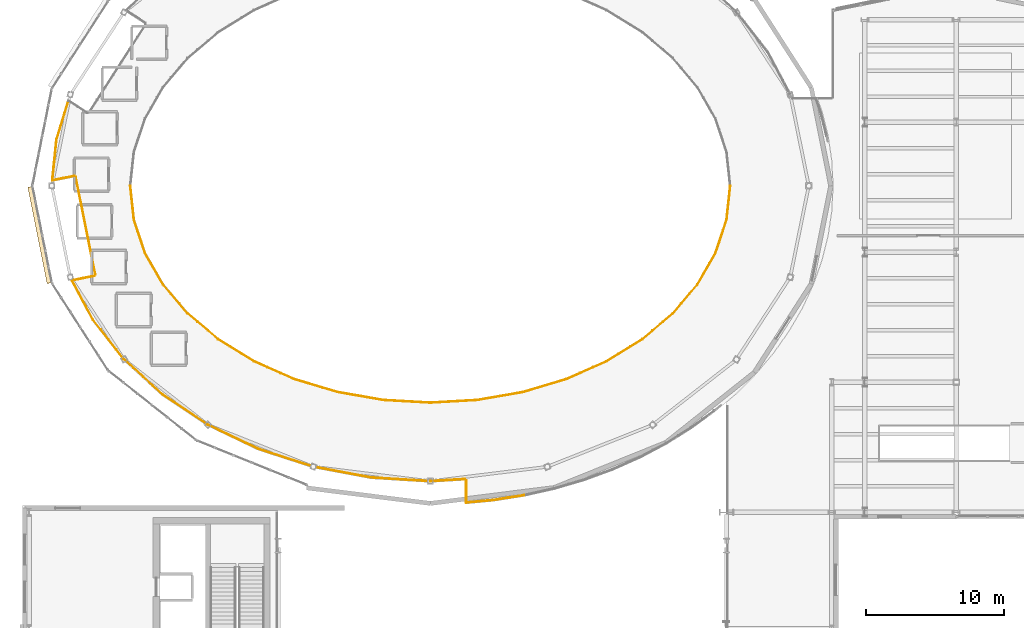
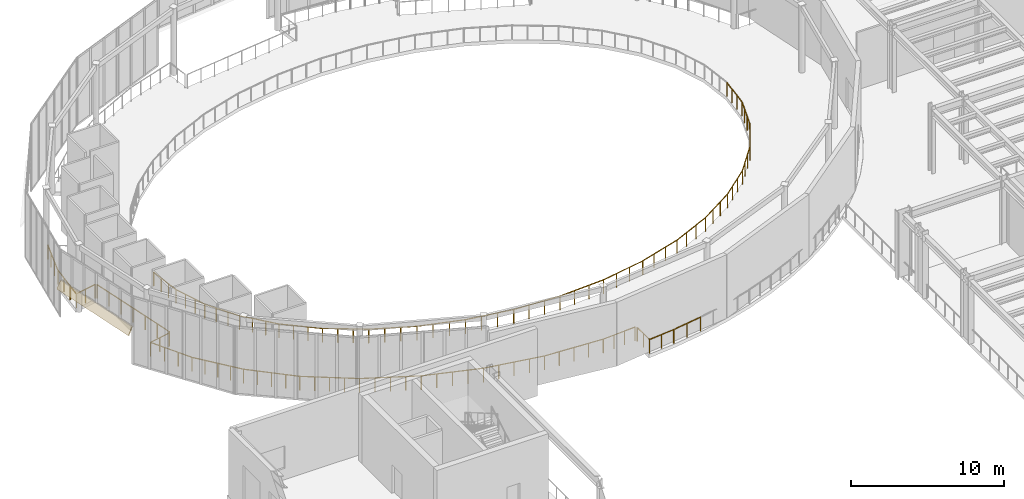
# One storey, part 91 of 98: 18 railings, 1 covering.
"""IFC4 building model written with IfcOpenShell, lengths in metres."""

from ifc_helpers import new_model, si_unit, direction, frame, origin, origin_2d, place, context, subcontext, project, spatial, polyline, circle, outline, extrude, material, layer, layer_set, type_object, element, save


model = new_model("IFC4")

# Units and contexts
model_context = context("Model", 3, precision=1e-05, world=origin(), true_north=direction((0.0, 1.0)))
body_context = subcontext(model_context, "Body", "Model", "MODEL_VIEW")
ifc_project = project(units=[si_unit("LENGTHUNIT", "METRE"), si_unit("AREAUNIT", "SQUARE_METRE"), si_unit("VOLUMEUNIT", "CUBIC_METRE"), si_unit("PLANEANGLEUNIT", "RADIAN"), si_unit("MASSUNIT", "GRAM", prefix="KILO")], contexts=[model_context])

# Site, building, storey
site_placement = place(None, origin())
site = spatial("IfcSite", under=ifc_project, at=site_placement, CompositionType="ELEMENT")
building_placement = place(site_placement, origin())
building = spatial("IfcBuilding", under=site, at=building_placement, Name="Sollismere Congress Hotel", CompositionType="ELEMENT")
storey_placement = place(building_placement, frame((0.0, 0.0, 5.39990234375)))
storey = spatial("IfcBuildingStorey", under=building, at=storey_placement, Name="L01", CompositionType="ELEMENT", Elevation=5.39990234375)

# Covering
ifc_material_1 = material(Name="Standing-Seam Titanium-Zinc Roof Assembly")
ifc_layer = layer(ifc_material_1, 0.054931640625, Name="Standing-Seam Titanium-Zinc Roof Assembly")
ifc_layer_set = layer_set([ifc_layer], Name="Standing-Seam Titanium-Zinc Roof Assembly")
covering_type = type_object("IfcCoveringType", Name="CV-RFZNC", PredefinedType="ROOFING", material=ifc_layer_set)
covering_placement = place(storey_placement, frame((-0.01953125, 90.315673828125, 2.35986328125), z_axis=(-0.846954137898, -0.169527651371, 0.503913746307), x_axis=(0.19627169068, -0.980549551734, 5.671637e-06)))
element("IfcCovering", 1, at=covering_placement, inside=storey, type_object=covering_type, Name="Congress portal hood 10", PredefinedType="ROOFING", context=body_context, shape_type="SweptSolid", body=[
    extrude(outline(polyline([(0.0, 0.0), (7.109619140625, 0.0), (7.089599609375, 0.6943359375), (0.02001953125, 0.694580078125), (0.0, 0.0)])), origin(), (0.0, 0.0, 1.0), 0.080078125),
])

# Railings
ifc_material_2 = material(Name="Bronze and Laminated Safety Glass", Category="glass")
railing_type = type_object("IfcRailingType", Name="RL-BAL112I", PredefinedType="BALUSTRADE", material=ifc_material_2)
railing_1_placement = place(storey_placement, frame((7.320068359375, 90.39990234375, 0.0)))
element("IfcRailing", 2, at=railing_1_placement, inside=storey, type_object=railing_type, Name="RLG-GDA-L01-009", PredefinedType="BALUSTRADE", context=body_context, shape_type="SweptSolid", body=[
    extrude(circle(Radius=0.02392578125, at=origin_2d()), frame((0.0, 0.0, 1.09619140625), z_axis=(0.108150595503, -0.994134522433, 0.0), x_axis=(0.994134522433, 0.108150595503, 0.0)), (0.0, 0.0, 1.0), 2.46728515625),
    extrude(circle(Radius=0.02392578125, at=origin_2d()), frame((0.266845703125, -2.452880859375, 1.09619140625), z_axis=(0.315065283575, -0.949070001152, 0.0), x_axis=(0.949070001152, 0.315065283575, 0.0)), (0.0, 0.0, 1.0), 2.520751953125),
    extrude(circle(Radius=0.02392578125, at=origin_2d()), frame((1.06103515625, -4.84521484375, 1.09619140625), z_axis=(0.497011858061, -0.867743748435, 0.0), x_axis=(0.867743748435, 0.497011858061, 0.0)), (0.0, 0.0, 1.0), 2.61962890625),
    extrude(circle(Radius=0.02392578125, at=origin_2d()), frame((2.363037109375, -7.118408203125, 1.09619140625), z_axis=(0.646407821487, -0.762992089291, 0.0), x_axis=(0.762992089291, 0.646407821487, 0.0)), (0.0, 0.0, 1.0), 2.74951171875),
    extrude(circle(Radius=0.02392578125, at=origin_2d()), frame((4.140380859375, -9.21630859375, 1.09619140625), z_axis=(0.763123948561, -0.646252148262, 0.0), x_axis=(0.646252148262, 0.763123948561, 0.0)), (0.0, 0.0, 1.0), 2.895263671875),
    extrude(circle(Radius=0.02392578125, at=origin_2d()), frame((6.349853515625, -11.08740234375, 1.09619140625), z_axis=(0.850783215493, -0.525516812514, 0.0), x_axis=(0.525516812514, 0.850783215493, 0.0)), (0.0, 0.0, 1.0), 3.04052734375),
    extrude(circle(Radius=0.02392578125, at=origin_2d()), frame((8.936767578125, -12.685302734375, 1.09619140625), z_axis=(0.914223583999, -0.405210116433, 0.0), x_axis=(0.405210116433, 0.914223583999, 0.0)), (0.0, 0.0, 1.0), 3.1728515625),
    extrude(circle(Radius=0.02392578125, at=origin_2d()), frame((11.83740234375, -13.970947265625, 1.09619140625), z_axis=(0.957932712085, -0.286992890361, 0.0), x_axis=(0.286992890361, 0.957932712085, 0.0)), (0.0, 0.0, 1.0), 3.281005859375),
    extrude(circle(Radius=0.02392578125, at=origin_2d()), frame((14.98046875, -14.91259765625, 1.09619140625), z_axis=(0.985265078514, -0.171034280365, 0.0), x_axis=(0.171034280365, 0.985265078514, 0.0)), (0.0, 0.0, 1.0), 3.357421875),
    extrude(circle(Radius=0.02392578125, at=origin_2d()), frame((18.288330078125, -15.48681640625, 1.09619140625), z_axis=(0.998382892186, -0.05684716871, 0.0), x_axis=(0.05684716871, 0.998382892186, 0.0)), (0.0, 0.0, 1.0), 3.397216796875),
    extrude(circle(Radius=0.02392578125, at=origin_2d()), frame((21.679931640625, -15.679931640625, 1.09619140625), z_axis=(0.998382892186, 0.05684716871, 0.0), x_axis=(-0.05684716871, 0.998382892186, 0.0)), (0.0, 0.0, 1.0), 3.397216796875),
    extrude(circle(Radius=0.02392578125, at=origin_2d()), frame((25.071533203125, -15.48681640625, 1.09619140625), z_axis=(0.985265078514, 0.171034280365, 0.0), x_axis=(-0.171034280365, 0.985265078514, 0.0)), (0.0, 0.0, 1.0), 3.357421875),
    extrude(circle(Radius=0.02392578125, at=origin_2d()), frame((28.37939453125, -14.91259765625, 1.09619140625), z_axis=(0.957932712085, 0.286992890361, 0.0), x_axis=(-0.286992890361, 0.957932712085, 0.0)), (0.0, 0.0, 1.0), 3.281005859375),
    extrude(circle(Radius=0.02392578125, at=origin_2d()), frame((31.5224609375, -13.970947265625, 1.09619140625), z_axis=(0.914223583999, 0.405210116433, 0.0), x_axis=(-0.405210116433, 0.914223583999, 0.0)), (0.0, 0.0, 1.0), 3.1728515625),
    extrude(circle(Radius=0.02392578125, at=origin_2d()), frame((34.423095703125, -12.685302734375, 1.09619140625), z_axis=(0.850783215493, 0.525516812514, 0.0), x_axis=(-0.525516812514, 0.850783215493, 0.0)), (0.0, 0.0, 1.0), 3.04052734375),
    extrude(circle(Radius=0.02392578125, at=origin_2d()), frame((37.010009765625, -11.08740234375, 1.09619140625), z_axis=(0.763123948561, 0.646252148262, 0.0), x_axis=(-0.646252148262, 0.763123948561, 0.0)), (0.0, 0.0, 1.0), 2.895263671875),
    extrude(circle(Radius=0.02392578125, at=origin_2d()), frame((39.219482421875, -9.21630859375, 1.09619140625), z_axis=(0.646407821487, 0.762992089291, 0.0), x_axis=(-0.762992089291, 0.646407821487, 0.0)), (0.0, 0.0, 1.0), 2.74951171875),
    extrude(circle(Radius=0.02392578125, at=origin_2d()), frame((40.996826171875, -7.118408203125, 1.09619140625), z_axis=(0.497011858061, 0.867743748435, 0.0), x_axis=(-0.867743748435, 0.497011858061, 0.0)), (0.0, 0.0, 1.0), 2.61962890625),
    extrude(circle(Radius=0.02392578125, at=origin_2d()), frame((42.298828125, -4.84521484375, 1.09619140625), z_axis=(0.315065283575, 0.949070001152, 0.0), x_axis=(-0.949070001152, 0.315065283575, 0.0)), (0.0, 0.0, 1.0), 2.520751953125),
    extrude(circle(Radius=0.02392578125, at=origin_2d()), frame((43.093017578125, -2.452880859375, 1.09619140625), z_axis=(0.108150595503, 0.994134522433, 0.0), x_axis=(-0.994134522433, 0.108150595503, 0.0)), (0.0, 0.0, 1.0), 2.46728515625),
    extrude(circle(Radius=0.02099609375, at=origin_2d()), origin(), (0.0, 0.0, 1.0), 1.072021484375),
    extrude(circle(Radius=0.02099609375, at=origin_2d()), frame((0.0888671875, -0.817626953125, 0.0)), (0.0, 0.0, 1.0), 1.072021484375),
    extrude(circle(Radius=0.02099609375, at=origin_2d()), frame((0.177978515625, -1.63525390625, 0.0)), (0.0, 0.0, 1.0), 1.072021484375),
    extrude(circle(Radius=0.02099609375, at=origin_2d()), frame((0.266845703125, -2.452880859375, 0.0)), (0.0, 0.0, 1.0), 1.072021484375),
    extrude(circle(Radius=0.02099609375, at=origin_2d()), frame((0.531494140625, -3.250244140625, 0.0)), (0.0, 0.0, 1.0), 1.072021484375),
    extrude(circle(Radius=0.02099609375, at=origin_2d()), frame((0.79638671875, -4.0478515625, 0.0)), (0.0, 0.0, 1.0), 1.072021484375),
    extrude(circle(Radius=0.02099609375, at=origin_2d()), frame((1.06103515625, -4.84521484375, 0.0)), (0.0, 0.0, 1.0), 1.072021484375),
    extrude(circle(Radius=0.02099609375, at=origin_2d()), frame((1.4951171875, -5.60302734375, 0.0)), (0.0, 0.0, 1.0), 1.072021484375),
    extrude(circle(Radius=0.02099609375, at=origin_2d()), frame((1.928955078125, -6.360595703125, 0.0)), (0.0, 0.0, 1.0), 1.072021484375),
    extrude(circle(Radius=0.02099609375, at=origin_2d()), frame((2.363037109375, -7.118408203125, 0.0)), (0.0, 0.0, 1.0), 1.072021484375),
    extrude(circle(Radius=0.02099609375, at=origin_2d()), frame((2.95556640625, -7.817626953125, 0.0)), (0.0, 0.0, 1.0), 1.072021484375),
    extrude(circle(Radius=0.02099609375, at=origin_2d()), frame((3.5478515625, -8.51708984375, 0.0)), (0.0, 0.0, 1.0), 1.072021484375),
    extrude(circle(Radius=0.02099609375, at=origin_2d()), frame((4.140380859375, -9.21630859375, 0.0)), (0.0, 0.0, 1.0), 1.072021484375),
    extrude(circle(Radius=0.02099609375, at=origin_2d()), frame((4.876953125, -9.840087890625, 0.0)), (0.0, 0.0, 1.0), 1.072021484375),
    extrude(circle(Radius=0.02099609375, at=origin_2d()), frame((5.61328125, -10.463623046875, 0.0)), (0.0, 0.0, 1.0), 1.072021484375),
    extrude(circle(Radius=0.02099609375, at=origin_2d()), frame((6.349853515625, -11.08740234375, 0.0)), (0.0, 0.0, 1.0), 1.072021484375),
    extrude(circle(Radius=0.02099609375, at=origin_2d()), frame((7.212158203125, -11.6201171875, 0.0)), (0.0, 0.0, 1.0), 1.072021484375),
    extrude(circle(Radius=0.02099609375, at=origin_2d()), frame((8.074462890625, -12.152587890625, 0.0)), (0.0, 0.0, 1.0), 1.072021484375),
    extrude(circle(Radius=0.02099609375, at=origin_2d()), frame((8.936767578125, -12.685302734375, 0.0)), (0.0, 0.0, 1.0), 1.072021484375),
    extrude(circle(Radius=0.02099609375, at=origin_2d()), frame((9.903564453125, -13.11376953125, 0.0)), (0.0, 0.0, 1.0), 1.072021484375),
    extrude(circle(Radius=0.02099609375, at=origin_2d()), frame((10.87060546875, -13.54248046875, 0.0)), (0.0, 0.0, 1.0), 1.072021484375),
    extrude(circle(Radius=0.02099609375, at=origin_2d()), frame((11.83740234375, -13.970947265625, 0.0)), (0.0, 0.0, 1.0), 1.072021484375),
    extrude(circle(Radius=0.02099609375, at=origin_2d()), frame((12.885009765625, -14.284912109375, 0.0)), (0.0, 0.0, 1.0), 1.072021484375),
    extrude(circle(Radius=0.02099609375, at=origin_2d()), frame((13.932861328125, -14.5986328125, 0.0)), (0.0, 0.0, 1.0), 1.072021484375),
    extrude(circle(Radius=0.02099609375, at=origin_2d()), frame((14.98046875, -14.91259765625, 0.0)), (0.0, 0.0, 1.0), 1.072021484375),
    extrude(circle(Radius=0.02099609375, at=origin_2d()), frame((16.0830078125, -15.10400390625, 0.0)), (0.0, 0.0, 1.0), 1.072021484375),
    extrude(circle(Radius=0.02099609375, at=origin_2d()), frame((17.185791015625, -15.29541015625, 0.0)), (0.0, 0.0, 1.0), 1.072021484375),
    extrude(circle(Radius=0.02099609375, at=origin_2d()), frame((18.288330078125, -15.48681640625, 0.0)), (0.0, 0.0, 1.0), 1.072021484375),
    extrude(circle(Radius=0.02099609375, at=origin_2d()), frame((19.4189453125, -15.55126953125, 0.0)), (0.0, 0.0, 1.0), 1.072021484375),
    extrude(circle(Radius=0.02099609375, at=origin_2d()), frame((20.54931640625, -15.615478515625, 0.0)), (0.0, 0.0, 1.0), 1.072021484375),
    extrude(circle(Radius=0.02099609375, at=origin_2d()), frame((21.679931640625, -15.679931640625, 0.0)), (0.0, 0.0, 1.0), 1.072021484375),
    extrude(circle(Radius=0.02099609375, at=origin_2d()), frame((22.810546875, -15.615478515625, 0.0)), (0.0, 0.0, 1.0), 1.072021484375),
    extrude(circle(Radius=0.02099609375, at=origin_2d()), frame((23.94091796875, -15.55126953125, 0.0)), (0.0, 0.0, 1.0), 1.072021484375),
    extrude(circle(Radius=0.02099609375, at=origin_2d()), frame((25.071533203125, -15.48681640625, 0.0)), (0.0, 0.0, 1.0), 1.072021484375),
    extrude(circle(Radius=0.02099609375, at=origin_2d()), frame((26.174072265625, -15.29541015625, 0.0)), (0.0, 0.0, 1.0), 1.072021484375),
    extrude(circle(Radius=0.02099609375, at=origin_2d()), frame((27.27685546875, -15.10400390625, 0.0)), (0.0, 0.0, 1.0), 1.072021484375),
    extrude(circle(Radius=0.02099609375, at=origin_2d()), frame((28.37939453125, -14.91259765625, 0.0)), (0.0, 0.0, 1.0), 1.072021484375),
    extrude(circle(Radius=0.02099609375, at=origin_2d()), frame((29.427001953125, -14.5986328125, 0.0)), (0.0, 0.0, 1.0), 1.072021484375),
    extrude(circle(Radius=0.02099609375, at=origin_2d()), frame((30.474853515625, -14.284912109375, 0.0)), (0.0, 0.0, 1.0), 1.072021484375),
    extrude(circle(Radius=0.02099609375, at=origin_2d()), frame((31.5224609375, -13.970947265625, 0.0)), (0.0, 0.0, 1.0), 1.072021484375),
    extrude(circle(Radius=0.02099609375, at=origin_2d()), frame((32.4892578125, -13.54248046875, 0.0)), (0.0, 0.0, 1.0), 1.072021484375),
    extrude(circle(Radius=0.02099609375, at=origin_2d()), frame((33.456298828125, -13.11376953125, 0.0)), (0.0, 0.0, 1.0), 1.072021484375),
    extrude(circle(Radius=0.02099609375, at=origin_2d()), frame((34.423095703125, -12.685302734375, 0.0)), (0.0, 0.0, 1.0), 1.072021484375),
    extrude(circle(Radius=0.02099609375, at=origin_2d()), frame((35.285400390625, -12.152587890625, 0.0)), (0.0, 0.0, 1.0), 1.072021484375),
    extrude(circle(Radius=0.02099609375, at=origin_2d()), frame((36.147705078125, -11.6201171875, 0.0)), (0.0, 0.0, 1.0), 1.072021484375),
    extrude(circle(Radius=0.02099609375, at=origin_2d()), frame((37.010009765625, -11.08740234375, 0.0)), (0.0, 0.0, 1.0), 1.072021484375),
    extrude(circle(Radius=0.02099609375, at=origin_2d()), frame((37.74658203125, -10.463623046875, 0.0)), (0.0, 0.0, 1.0), 1.072021484375),
    extrude(circle(Radius=0.02099609375, at=origin_2d()), frame((38.48291015625, -9.840087890625, 0.0)), (0.0, 0.0, 1.0), 1.072021484375),
    extrude(circle(Radius=0.02099609375, at=origin_2d()), frame((39.219482421875, -9.21630859375, 0.0)), (0.0, 0.0, 1.0), 1.072021484375),
    extrude(circle(Radius=0.02099609375, at=origin_2d()), frame((39.81201171875, -8.51708984375, 0.0)), (0.0, 0.0, 1.0), 1.072021484375),
    extrude(circle(Radius=0.02099609375, at=origin_2d()), frame((40.404296875, -7.817626953125, 0.0)), (0.0, 0.0, 1.0), 1.072021484375),
    extrude(circle(Radius=0.02099609375, at=origin_2d()), frame((40.996826171875, -7.118408203125, 0.0)), (0.0, 0.0, 1.0), 1.072021484375),
    extrude(circle(Radius=0.02099609375, at=origin_2d()), frame((41.430908203125, -6.360595703125, 0.0)), (0.0, 0.0, 1.0), 1.072021484375),
    extrude(circle(Radius=0.02099609375, at=origin_2d()), frame((41.86474609375, -5.60302734375, 0.0)), (0.0, 0.0, 1.0), 1.072021484375),
    extrude(circle(Radius=0.02099609375, at=origin_2d()), frame((42.298828125, -4.84521484375, 0.0)), (0.0, 0.0, 1.0), 1.072021484375),
    extrude(circle(Radius=0.02099609375, at=origin_2d()), frame((42.5634765625, -4.0478515625, 0.0)), (0.0, 0.0, 1.0), 1.072021484375),
    extrude(circle(Radius=0.02099609375, at=origin_2d()), frame((42.828369140625, -3.250244140625, 0.0)), (0.0, 0.0, 1.0), 1.072021484375),
    extrude(circle(Radius=0.02099609375, at=origin_2d()), frame((43.093017578125, -2.452880859375, 0.0)), (0.0, 0.0, 1.0), 1.072021484375),
    extrude(circle(Radius=0.02099609375, at=origin_2d()), frame((43.181884765625, -1.63525390625, 0.0)), (0.0, 0.0, 1.0), 1.072021484375),
    extrude(circle(Radius=0.02099609375, at=origin_2d()), frame((43.27099609375, -0.817626953125, 0.0)), (0.0, 0.0, 1.0), 1.072021484375),
    extrude(circle(Radius=0.02099609375, at=origin_2d()), frame((43.35986328125, 0.0, 0.0)), (0.0, 0.0, 1.0), 1.072021484375),
])
railing_2_placement = place(storey_placement, frame((35.774658203125, 68.03662109375, 0.0)))
element("IfcRailing", 3, at=railing_2_placement, inside=storey, type_object=railing_type, Name="RLG-GDA-L01-018", PredefinedType="BALUSTRADE", context=body_context, shape_type="SweptSolid", body=[
    extrude(circle(Radius=0.02392578125, at=origin_2d()), frame((0.0, 0.0, 1.09619140625), z_axis=(-0.987752464332, -0.156029065264, 0.0), x_axis=(0.156029065264, -0.987752464332, 0.0)), (0.0, 0.0, 1.0), 2.2626953125),
    extrude(circle(Radius=0.02099609375, at=origin_2d()), origin(), (0.0, 0.0, 1.0), 1.072021484375),
    extrude(circle(Radius=0.02099609375, at=origin_2d()), frame((-1.117431640625, -0.176513671875, 0.0)), (0.0, 0.0, 1.0), 1.072021484375),
    extrude(circle(Radius=0.02099609375, at=origin_2d()), frame((-2.23486328125, -0.35302734375, 0.0)), (0.0, 0.0, 1.0), 1.072021484375),
])
railing_3_placement = place(storey_placement, frame((33.539794921875, 67.68359375, 0.0)))
element("IfcRailing", 4, at=railing_3_placement, inside=storey, type_object=railing_type, Name="RLG-GDA-L01-019", PredefinedType="BALUSTRADE", context=body_context, shape_type="SweptSolid", body=[
    extrude(circle(Radius=0.02392578125, at=origin_2d()), frame((0.0, 0.0, 1.09619140625), z_axis=(-0.995620750192, -0.093484339792, 0.0), x_axis=(0.093484339792, -0.995620750192, 0.0)), (0.0, 0.0, 1.0), 1.9482421875),
    extrude(circle(Radius=0.02099609375, at=origin_2d()), origin(), (0.0, 0.0, 1.0), 1.072021484375),
    extrude(circle(Radius=0.02099609375, at=origin_2d()), frame((-0.9697265625, -0.091064453125, 0.0)), (0.0, 0.0, 1.0), 1.072021484375),
    extrude(circle(Radius=0.02099609375, at=origin_2d()), frame((-1.939697265625, -0.18212890625, 0.0)), (0.0, 0.0, 1.0), 1.072021484375),
])
railing_4_placement = place(storey_placement, frame((31.60009765625, 67.50146484375, 0.0)))
element("IfcRailing", 5, at=railing_4_placement, inside=storey, type_object=railing_type, Name="RLG-GDA-L01-020", PredefinedType="BALUSTRADE", context=body_context, shape_type="SweptSolid", body=[
    extrude(circle(Radius=0.02392578125, at=origin_2d()), frame((0.0, 0.0, 1.09619140625), z_axis=(0.0, 1.0, 0.0), x_axis=(-1.0, 0.0, 0.0)), (0.0, 0.0, 1.0), 1.602294921875),
    extrude(circle(Radius=0.02099609375, at=origin_2d()), origin(), (0.0, 0.0, 1.0), 1.072021484375),
    extrude(circle(Radius=0.02099609375, at=origin_2d()), frame((0.0, 0.80126953125, 0.0)), (0.0, 0.0, 1.0), 1.072021484375),
    extrude(circle(Radius=0.02099609375, at=origin_2d()), frame((0.0, 1.602294921875, 0.0)), (0.0, 0.0, 1.0), 1.072021484375),
])
railing_5_placement = place(storey_placement, frame((31.493896484375, 69.20361328125, 0.0)))
element("IfcRailing", 6, at=railing_5_placement, inside=storey, type_object=railing_type, Name="RLG-GDA-L01-021", PredefinedType="BALUSTRADE", context=body_context, shape_type="SweptSolid", body=[
    extrude(circle(Radius=0.02392578125, at=origin_2d()), frame((0.0, 0.0, 1.09619140625), z_axis=(-0.998115554455, -0.061362365952, 0.0), x_axis=(0.061362365952, -0.998115554455, 0.0)), (0.0, 0.0, 1.0), 2.49853515625),
    extrude(circle(Radius=0.02099609375, at=origin_2d()), origin(), (0.0, 0.0, 1.0), 1.072021484375),
    extrude(circle(Radius=0.02099609375, at=origin_2d()), frame((-0.831298828125, -0.051025390625, 0.0)), (0.0, 0.0, 1.0), 1.072021484375),
    extrude(circle(Radius=0.02099609375, at=origin_2d()), frame((-1.66259765625, -0.102294921875, 0.0)), (0.0, 0.0, 1.0), 1.072021484375),
    extrude(circle(Radius=0.02099609375, at=origin_2d()), frame((-2.493896484375, -0.1533203125, 0.0)), (0.0, 0.0, 1.0), 1.072021484375),
])
railing_6_placement = place(storey_placement, frame((29.0, 69.05029296875, 0.0)))
element("IfcRailing", 7, at=railing_6_placement, inside=storey, type_object=railing_type, Name="RLG-GDA-L01-022", PredefinedType="BALUSTRADE", context=body_context, shape_type="SweptSolid", body=[
    extrude(circle(Radius=0.02392578125, at=origin_2d()), frame((0.0, 0.0, 1.09619140625), z_axis=(-0.99811626892, 0.061350743408, 0.0), x_axis=(-0.061350743408, -0.99811626892, 0.0)), (0.0, 0.0, 1.0), 4.289794921875),
    extrude(circle(Radius=0.02099609375, at=origin_2d()), origin(), (0.0, 0.0, 1.0), 1.072021484375),
    extrude(circle(Radius=0.02099609375, at=origin_2d()), frame((-1.0703125, 0.06591796875, 0.0)), (0.0, 0.0, 1.0), 1.072021484375),
    extrude(circle(Radius=0.02099609375, at=origin_2d()), frame((-2.140869140625, 0.131591796875, 0.0)), (0.0, 0.0, 1.0), 1.072021484375),
    extrude(circle(Radius=0.02099609375, at=origin_2d()), frame((-3.21142578125, 0.197265625, 0.0)), (0.0, 0.0, 1.0), 1.072021484375),
    extrude(circle(Radius=0.02099609375, at=origin_2d()), frame((-4.28173828125, 0.26318359375, 0.0)), (0.0, 0.0, 1.0), 1.072021484375),
])
railing_7_placement = place(storey_placement, frame((24.71826171875, 69.3134765625, 0.0)))
element("IfcRailing", 8, at=railing_7_placement, inside=storey, type_object=railing_type, Name="RLG-GDA-L01-023", PredefinedType="BALUSTRADE", context=body_context, shape_type="SweptSolid", body=[
    extrude(circle(Radius=0.02392578125, at=origin_2d()), frame((0.0, 0.0, 1.09619140625), z_axis=(-0.982853317558, 0.184389143294, 0.0), x_axis=(-0.184389143294, -0.982853317558, 0.0)), (0.0, 0.0, 1.0), 4.248779296875),
    extrude(circle(Radius=0.02099609375, at=origin_2d()), origin(), (0.0, 0.0, 1.0), 1.072021484375),
    extrude(circle(Radius=0.02099609375, at=origin_2d()), frame((-1.0439453125, 0.19580078125, 0.0)), (0.0, 0.0, 1.0), 1.072021484375),
    extrude(circle(Radius=0.02099609375, at=origin_2d()), frame((-2.087890625, 0.3916015625, 0.0)), (0.0, 0.0, 1.0), 1.072021484375),
    extrude(circle(Radius=0.02099609375, at=origin_2d()), frame((-3.132080078125, 0.587646484375, 0.0)), (0.0, 0.0, 1.0), 1.072021484375),
    extrude(circle(Radius=0.02099609375, at=origin_2d()), frame((-4.176025390625, 0.783447265625, 0.0)), (0.0, 0.0, 1.0), 1.072021484375),
])
railing_8_placement = place(storey_placement, frame((20.542236328125, 70.096923828125, 0.0)))
element("IfcRailing", 9, at=railing_8_placement, inside=storey, type_object=railing_type, Name="RLG-GDA-L01-024", PredefinedType="BALUSTRADE", context=body_context, shape_type="SweptSolid", body=[
    extrude(circle(Radius=0.02392578125, at=origin_2d()), frame((0.0, 0.0, 1.09619140625), z_axis=(-0.951393565786, 0.307977731308, 0.0), x_axis=(-0.307977731308, -0.951393565786, 0.0)), (0.0, 0.0, 1.0), 4.169677734375),
    extrude(circle(Radius=0.02099609375, at=origin_2d()), origin(), (0.0, 0.0, 1.0), 1.072021484375),
    extrude(circle(Radius=0.02099609375, at=origin_2d()), frame((-0.99169921875, 0.321044921875, 0.0)), (0.0, 0.0, 1.0), 1.072021484375),
    extrude(circle(Radius=0.02099609375, at=origin_2d()), frame((-1.9833984375, 0.64208984375, 0.0)), (0.0, 0.0, 1.0), 1.072021484375),
    extrude(circle(Radius=0.02099609375, at=origin_2d()), frame((-2.975341796875, 0.963134765625, 0.0)), (0.0, 0.0, 1.0), 1.072021484375),
    extrude(circle(Radius=0.02099609375, at=origin_2d()), frame((-3.967041015625, 1.2841796875, 0.0)), (0.0, 0.0, 1.0), 1.072021484375),
])
railing_9_placement = place(storey_placement, frame((16.5751953125, 71.381103515625, 0.0)))
element("IfcRailing", 10, at=railing_9_placement, inside=storey, type_object=railing_type, Name="RLG-GDA-L01-025", PredefinedType="BALUSTRADE", context=body_context, shape_type="SweptSolid", body=[
    extrude(circle(Radius=0.02392578125, at=origin_2d()), frame((0.0, 0.0, 1.09619140625), z_axis=(-0.901936626464, 0.431868408016, 0.0), x_axis=(-0.431868408016, -0.901936626464, 0.0)), (0.0, 0.0, 1.0), 4.058349609375),
    extrude(circle(Radius=0.02099609375, at=origin_2d()), origin(), (0.0, 0.0, 1.0), 1.072021484375),
    extrude(circle(Radius=0.02099609375, at=origin_2d()), frame((-0.9150390625, 0.438232421875, 0.0)), (0.0, 0.0, 1.0), 1.072021484375),
    extrude(circle(Radius=0.02099609375, at=origin_2d()), frame((-1.830078125, 0.87646484375, 0.0)), (0.0, 0.0, 1.0), 1.072021484375),
    extrude(circle(Radius=0.02099609375, at=origin_2d()), frame((-2.745361328125, 1.314453125, 0.0)), (0.0, 0.0, 1.0), 1.072021484375),
    extrude(circle(Radius=0.02099609375, at=origin_2d()), frame((-3.660400390625, 1.752685546875, 0.0)), (0.0, 0.0, 1.0), 1.072021484375),
])
railing_10_placement = place(storey_placement, frame((12.914794921875, 73.1337890625, 0.0)))
element("IfcRailing", 11, at=railing_10_placement, inside=storey, type_object=railing_type, Name="RLG-GDA-L01-026", PredefinedType="BALUSTRADE", context=body_context, shape_type="SweptSolid", body=[
    extrude(circle(Radius=0.02392578125, at=origin_2d()), frame((0.0, 0.0, 1.09619140625), z_axis=(-0.831762947027, 0.555130975494, 0.0), x_axis=(-0.555130975494, -0.831762947027, 0.0)), (0.0, 0.0, 1.0), 3.9228515625),
    extrude(circle(Radius=0.02099609375, at=origin_2d()), origin(), (0.0, 0.0, 1.0), 1.072021484375),
    extrude(circle(Radius=0.02099609375, at=origin_2d()), frame((-0.815673828125, 0.54443359375, 0.0)), (0.0, 0.0, 1.0), 1.072021484375),
    extrude(circle(Radius=0.02099609375, at=origin_2d()), frame((-1.63134765625, 1.0888671875, 0.0)), (0.0, 0.0, 1.0), 1.072021484375),
    extrude(circle(Radius=0.02099609375, at=origin_2d()), frame((-2.447265625, 1.63330078125, 0.0)), (0.0, 0.0, 1.0), 1.072021484375),
    extrude(circle(Radius=0.02099609375, at=origin_2d()), frame((-3.262939453125, 2.177734375, 0.0)), (0.0, 0.0, 1.0), 1.072021484375),
])
railing_11_placement = place(storey_placement, frame((9.65185546875, 75.3115234375, 0.0)))
element("IfcRailing", 12, at=railing_11_placement, inside=storey, type_object=railing_type, Name="RLG-GDA-L01-027", PredefinedType="BALUSTRADE", context=body_context, shape_type="SweptSolid", body=[
    extrude(circle(Radius=0.02392578125, at=origin_2d()), frame((0.0, 0.0, 1.09619140625), z_axis=(-0.737803356456, 0.675015708856, 0.0), x_axis=(-0.675015708856, -0.737803356456, 0.0)), (0.0, 0.0, 1.0), 3.775634765625),
    extrude(circle(Radius=0.02099609375, at=origin_2d()), origin(), (0.0, 0.0, 1.0), 1.072021484375),
    extrude(circle(Radius=0.02099609375, at=origin_2d()), frame((-0.6962890625, 0.63720703125, 0.0)), (0.0, 0.0, 1.0), 1.072021484375),
    extrude(circle(Radius=0.02099609375, at=origin_2d()), frame((-1.392822265625, 1.2744140625, 0.0)), (0.0, 0.0, 1.0), 1.072021484375),
    extrude(circle(Radius=0.02099609375, at=origin_2d()), frame((-2.08935546875, 1.911376953125, 0.0)), (0.0, 0.0, 1.0), 1.072021484375),
    extrude(circle(Radius=0.02099609375, at=origin_2d()), frame((-2.78564453125, 2.548583984375, 0.0)), (0.0, 0.0, 1.0), 1.072021484375),
])
railing_12_placement = place(storey_placement, frame((6.8662109375, 77.860107421875, 0.0)))
element("IfcRailing", 13, at=railing_12_placement, inside=storey, type_object=railing_type, Name="RLG-GDA-L01-028", PredefinedType="BALUSTRADE", context=body_context, shape_type="SweptSolid", body=[
    extrude(circle(Radius=0.02392578125, at=origin_2d()), frame((0.0, 0.0, 1.09619140625), z_axis=(-0.617078696406, 0.786901443919, 0.0), x_axis=(-0.786901443919, -0.617078696406, 0.0)), (0.0, 0.0, 1.0), 3.6298828125),
    extrude(circle(Radius=0.02099609375, at=origin_2d()), origin(), (0.0, 0.0, 1.0), 1.072021484375),
    extrude(circle(Radius=0.02099609375, at=origin_2d()), frame((-0.56005859375, 0.714111328125, 0.0)), (0.0, 0.0, 1.0), 1.072021484375),
    extrude(circle(Radius=0.02099609375, at=origin_2d()), frame((-1.1201171875, 1.42822265625, 0.0)), (0.0, 0.0, 1.0), 1.072021484375),
    extrude(circle(Radius=0.02099609375, at=origin_2d()), frame((-1.679931640625, 2.142333984375, 0.0)), (0.0, 0.0, 1.0), 1.072021484375),
    extrude(circle(Radius=0.02099609375, at=origin_2d()), frame((-2.239990234375, 2.8564453125, 0.0)), (0.0, 0.0, 1.0), 1.072021484375),
])
railing_13_placement = place(storey_placement, frame((4.626220703125, 80.716552734375, 0.0)))
element("IfcRailing", 14, at=railing_13_placement, inside=storey, type_object=railing_type, Name="RLG-GDA-L01-029", PredefinedType="BALUSTRADE", context=body_context, shape_type="SweptSolid", body=[
    extrude(circle(Radius=0.02392578125, at=origin_2d()), frame((0.0, 0.0, 1.09619140625), z_axis=(-0.468386014078, 0.883523933924, 0.0), x_axis=(-0.883523933924, -0.468386014078, 0.0)), (0.0, 0.0, 1.0), 3.21875),
    extrude(circle(Radius=0.02099609375, at=origin_2d()), origin(), (0.0, 0.0, 1.0), 1.072021484375),
    extrude(circle(Radius=0.02099609375, at=origin_2d()), frame((-0.50244140625, 0.947998046875, 0.0)), (0.0, 0.0, 1.0), 1.072021484375),
    extrude(circle(Radius=0.02099609375, at=origin_2d()), frame((-1.005126953125, 1.895751953125, 0.0)), (0.0, 0.0, 1.0), 1.072021484375),
    extrude(circle(Radius=0.02099609375, at=origin_2d()), frame((-1.507568359375, 2.84375, 0.0)), (0.0, 0.0, 1.0), 1.072021484375),
])
railing_14_placement = place(storey_placement, frame((3.11865234375, 83.560302734375, 0.0)))
element("IfcRailing", 15, at=railing_14_placement, inside=storey, type_object=railing_type, Name="RLG-GDA-L01-030", PredefinedType="BALUSTRADE", context=body_context, shape_type="SweptSolid", body=[
    extrude(circle(Radius=0.02392578125, at=origin_2d()), frame((0.0, 0.0, 1.09619140625), z_axis=(0.980517232929, 0.196433082575, 0.0), x_axis=(-0.196433082575, 0.980517232929, 0.0)), (0.0, 0.0, 1.0), 1.62939453125),
    extrude(circle(Radius=0.02099609375, at=origin_2d()), origin(), (0.0, 0.0, 1.0), 1.072021484375),
    extrude(circle(Radius=0.02099609375, at=origin_2d()), frame((0.798828125, 0.16015625, 0.0)), (0.0, 0.0, 1.0), 1.072021484375),
    extrude(circle(Radius=0.02099609375, at=origin_2d()), frame((1.59765625, 0.320068359375, 0.0)), (0.0, 0.0, 1.0), 1.072021484375),
])
railing_15_placement = place(storey_placement, frame((4.794921875, 83.997802734375, 0.0)))
element("IfcRailing", 16, at=railing_15_placement, inside=storey, type_object=railing_type, Name="RLG-GDA-L01-031", PredefinedType="BALUSTRADE", context=body_context, shape_type="SweptSolid", body=[
    extrude(circle(Radius=0.02392578125, at=origin_2d()), frame((0.0, 0.0, 1.09619140625), z_axis=(-0.196273293747, 0.980549230871, 0.0), x_axis=(-0.980549230871, -0.196273293747, 0.0)), (0.0, 0.0, 1.0), 7.169677734375),
    extrude(circle(Radius=0.02099609375, at=origin_2d()), origin(), (0.0, 0.0, 1.0), 1.072021484375),
    extrude(circle(Radius=0.02099609375, at=origin_2d()), frame((-0.234619140625, 1.171630859375, 0.0)), (0.0, 0.0, 1.0), 1.072021484375),
    extrude(circle(Radius=0.02099609375, at=origin_2d()), frame((-0.468994140625, 2.343505859375, 0.0)), (0.0, 0.0, 1.0), 1.072021484375),
    extrude(circle(Radius=0.02099609375, at=origin_2d()), frame((-0.70361328125, 3.51513671875, 0.0)), (0.0, 0.0, 1.0), 1.072021484375),
    extrude(circle(Radius=0.02099609375, at=origin_2d()), frame((-0.938232421875, 4.686767578125, 0.0)), (0.0, 0.0, 1.0), 1.072021484375),
    extrude(circle(Radius=0.02099609375, at=origin_2d()), frame((-1.172607421875, 5.858642578125, 0.0)), (0.0, 0.0, 1.0), 1.072021484375),
    extrude(circle(Radius=0.02099609375, at=origin_2d()), frame((-1.4072265625, 7.0302734375, 0.0)), (0.0, 0.0, 1.0), 1.072021484375),
])
railing_16_placement = place(storey_placement, frame((3.27001953125, 91.1064453125, 0.0)))
element("IfcRailing", 17, at=railing_16_placement, inside=storey, type_object=railing_type, Name="RLG-GDA-L01-032", PredefinedType="BALUSTRADE", context=body_context, shape_type="SweptSolid", body=[
    extrude(circle(Radius=0.02392578125, at=origin_2d()), frame((0.0, 0.0, 1.09619140625), z_axis=(-0.980569021189, -0.196174398647, 0.0), x_axis=(0.196174398647, -0.980569021189, 0.0)), (0.0, 0.0, 1.0), 1.611572265625),
    extrude(circle(Radius=0.02099609375, at=origin_2d()), origin(), (0.0, 0.0, 1.0), 1.072021484375),
    extrude(circle(Radius=0.02099609375, at=origin_2d()), frame((-0.7900390625, -0.158203125, 0.0)), (0.0, 0.0, 1.0), 1.072021484375),
    extrude(circle(Radius=0.02099609375, at=origin_2d()), frame((-1.580322265625, -0.316162109375, 0.0)), (0.0, 0.0, 1.0), 1.072021484375),
])
railing_17_placement = place(storey_placement, frame((1.689697265625, 90.790283203125, 0.0)))
element("IfcRailing", 18, at=railing_17_placement, inside=storey, type_object=railing_type, Name="RLG-GDA-L01-033", PredefinedType="BALUSTRADE", context=body_context, shape_type="SweptSolid", body=[
    extrude(circle(Radius=0.02392578125, at=origin_2d()), frame((0.0, 0.0, 1.09619140625), z_axis=(0.100287593249, 0.994958490913, 0.0), x_axis=(-0.994958490913, 0.100287593249, 0.0)), (0.0, 0.0, 1.0), 2.960205078125),
    extrude(circle(Radius=0.02099609375, at=origin_2d()), origin(), (0.0, 0.0, 1.0), 1.072021484375),
    extrude(circle(Radius=0.02099609375, at=origin_2d()), frame((0.098876953125, 0.981689453125, 0.0)), (0.0, 0.0, 1.0), 1.072021484375),
    extrude(circle(Radius=0.02099609375, at=origin_2d()), frame((0.197998046875, 1.963623046875, 0.0)), (0.0, 0.0, 1.0), 1.072021484375),
    extrude(circle(Radius=0.02099609375, at=origin_2d()), frame((0.296875, 2.9453125, 0.0)), (0.0, 0.0, 1.0), 1.072021484375),
])
railing_18_placement = place(storey_placement, frame((1.986572265625, 93.735595703125, 0.0)))
element("IfcRailing", 19, at=railing_18_placement, inside=storey, type_object=railing_type, Name="RLG-GDA-L01-034", PredefinedType="BALUSTRADE", context=body_context, shape_type="SweptSolid", body=[
    extrude(circle(Radius=0.02392578125, at=origin_2d()), frame((0.0, 0.0, 1.09619140625), z_axis=(0.293624446766, 0.955920856693, 0.0), x_axis=(-0.955920856693, 0.293624446766, 0.0)), (0.0, 0.0, 1.0), 2.9375),
    extrude(circle(Radius=0.02099609375, at=origin_2d()), origin(), (0.0, 0.0, 1.0), 1.072021484375),
    extrude(circle(Radius=0.02099609375, at=origin_2d()), frame((0.28759765625, 0.93603515625, 0.0)), (0.0, 0.0, 1.0), 1.072021484375),
    extrude(circle(Radius=0.02099609375, at=origin_2d()), frame((0.574951171875, 1.8720703125, 0.0)), (0.0, 0.0, 1.0), 1.072021484375),
    extrude(circle(Radius=0.02099609375, at=origin_2d()), frame((0.862548828125, 2.80810546875, 0.0)), (0.0, 0.0, 1.0), 1.072021484375),
])

save(model, "model.ifc")
